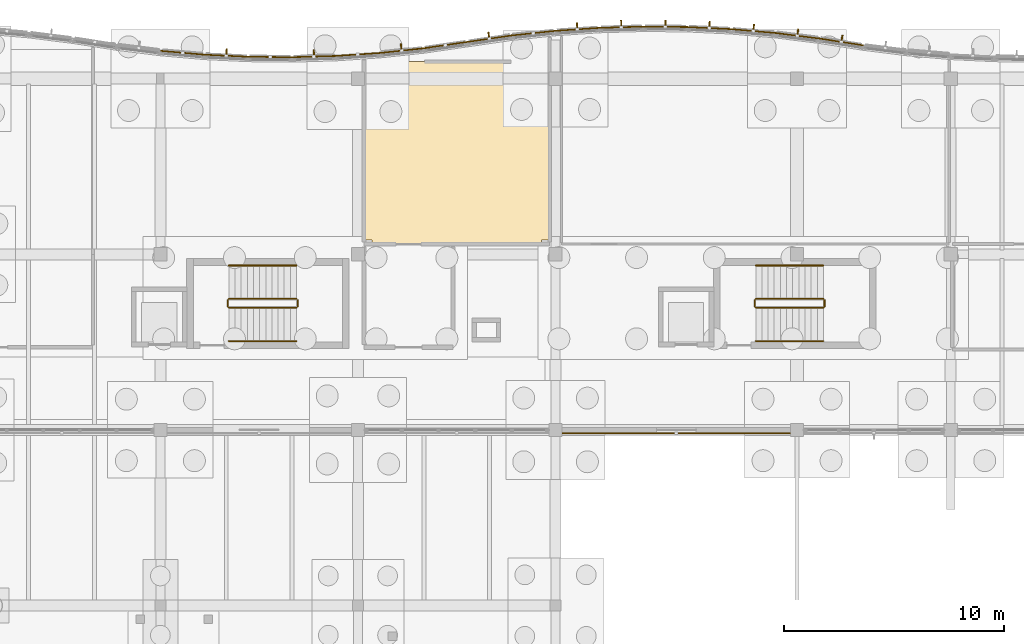
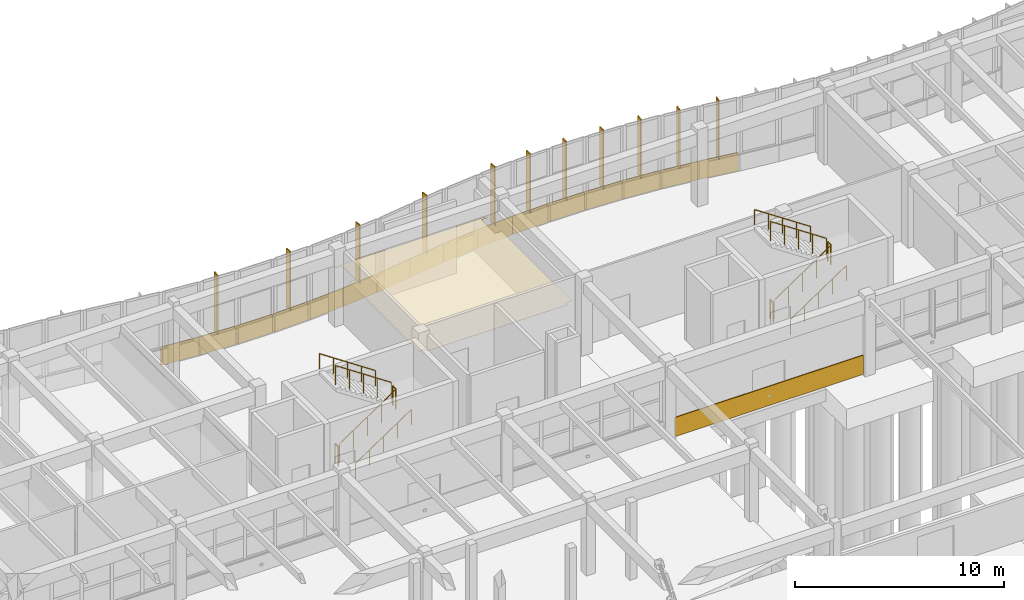
# One storey, part 93 of 99: 18 coverings, 12 railings, 11 shading devices.
"""IFC4 building model written with IfcOpenShell, lengths in metres."""

from ifc_helpers import new_model, si_unit, direction, frame, origin, origin_2d, place, context, subcontext, project, spatial, polyline, rectangle, circle, outline, extrude, material, layer, layer_set, type_object, element, save


model = new_model("IFC4")

# Units and contexts
model_context = context("Model", 3, precision=1e-05, world=origin(), true_north=direction((0.0, 1.0)))
body_context = subcontext(model_context, "Body", "Model", "MODEL_VIEW")
ifc_project = project(units=[si_unit("LENGTHUNIT", "METRE"), si_unit("AREAUNIT", "SQUARE_METRE"), si_unit("VOLUMEUNIT", "CUBIC_METRE"), si_unit("PLANEANGLEUNIT", "RADIAN"), si_unit("MASSUNIT", "GRAM", prefix="KILO")], contexts=[model_context])

# Site, building, storey
site_placement = place(None, origin())
site = spatial("IfcSite", under=ifc_project, at=site_placement, CompositionType="ELEMENT")
building_placement = place(site_placement, origin())
building = spatial("IfcBuilding", under=site, at=building_placement, Name="Tonlespit Floodbar School", CompositionType="ELEMENT")
storey_placement = place(building_placement, origin())
storey = spatial("IfcBuildingStorey", under=building, at=storey_placement, Name="L00", CompositionType="ELEMENT", Elevation=0.0)

# Coverings
ifc_material_1 = material(Name="Acoustic Mineral Tile")
ifc_layer_1 = layer(ifc_material_1, 0.02001953125)
ifc_layer_set_1 = layer_set([ifc_layer_1], Name="Acoustic Mineral Tile")
covering_type_1 = type_object("IfcCoveringType", Name="Ceiling_Acoustic_20", PredefinedType="CEILING", material=ifc_layer_set_1)
covering_1_placement = place(storey_placement, frame((0.0, 0.0, 2.64990234375)))
element("IfcCovering", 1, at=covering_1_placement, inside=storey, type_object=covering_type_1, Name="L00 Language Seminar Room acoustic ceiling", PredefinedType="CEILING", context=body_context, shape_type="SweptSolid", body=[
    extrude(outline(polyline([(107.275634765625, 120.64990234375), (107.27001953125, 120.7724609375), (115.72998046875, 120.7724609375), (115.72998046875, 120.64990234375), (115.35009765625, 120.64990234375), (115.35009765625, 119.35009765625), (115.72998046875, 119.35009765625), (115.72998046875, 112.64990234375), (115.35009765625, 112.64990234375), (115.35009765625, 112.469970703125), (107.64990234375, 112.469970703125), (107.64990234375, 112.64990234375), (107.27001953125, 112.64990234375), (107.27001953125, 119.35009765625), (107.64990234375, 119.35009765625), (107.64990234375, 120.64990234375), (107.275634765625, 120.64990234375)])), origin(), (0.0, 0.0, 1.0), 0.02001953125),
])
ifc_material_2 = material(Name="White Architectural Aluminium", Category="aluminium")
ifc_layer_2 = layer(ifc_material_2, 0.050048828125)
ifc_layer_set_2 = layer_set([ifc_layer_2], Name="White Architectural Aluminium")
covering_type_2 = type_object("IfcCoveringType", Name="Cladding_WhiteBand_50", PredefinedType="CLADDING", material=ifc_layer_set_2)
covering_2_placement = place(storey_placement, frame((0.0, 0.0, -0.1201171875)))
element("IfcCovering", 2, at=covering_2_placement, inside=storey, type_object=covering_type_2, Name="L00 curved white spandrel cladding 0028", PredefinedType="CLADDING", context=body_context, shape_type="SweptSolid", body=[
    extrude(outline(polyline([(98.0087890625, 121.241943359375), (100.0087890625, 121.068115234375), (100.012939453125, 121.117919921875), (98.012939453125, 121.291748046875), (98.0087890625, 121.241943359375)])), origin(), (0.0, 0.0, 1.0), 1.070068359375),
])
covering_3_placement = place(storey_placement, frame((0.0, 0.0, -0.1201171875)))
element("IfcCovering", 3, at=covering_3_placement, inside=storey, type_object=covering_type_2, Name="L00 curved white spandrel cladding 0029", PredefinedType="CLADDING", context=body_context, shape_type="SweptSolid", body=[
    extrude(outline(polyline([(100.0048828125, 121.068359375), (102.0048828125, 120.97216796875), (102.007080078125, 121.02197265625), (100.007080078125, 121.118408203125), (100.0048828125, 121.068359375)])), origin(), (0.0, 0.0, 1.0), 1.070068359375),
])
covering_4_placement = place(storey_placement, frame((0.0, 0.0, -0.1201171875)))
element("IfcCovering", 4, at=covering_4_placement, inside=storey, type_object=covering_type_2, Name="L00 curved white spandrel cladding 0030", PredefinedType="CLADDING", context=body_context, shape_type="SweptSolid", body=[
    extrude(outline(polyline([(102.0009765625, 120.97216796875), (104.0009765625, 120.952880859375), (104.00146484375, 121.0029296875), (102.00146484375, 121.022216796875), (102.0009765625, 120.97216796875)])), origin(), (0.0, 0.0, 1.0), 1.070068359375),
])
covering_5_placement = place(storey_placement, frame((0.0, 0.0, -0.1201171875)))
element("IfcCovering", 5, at=covering_5_placement, inside=storey, type_object=covering_type_2, Name="L00 curved white spandrel cladding 0031", PredefinedType="CLADDING", context=body_context, shape_type="SweptSolid", body=[
    extrude(outline(polyline([(103.9970703125, 120.952880859375), (105.9970703125, 121.0107421875), (105.99560546875, 121.060791015625), (103.99560546875, 121.0029296875), (103.9970703125, 120.952880859375)])), origin(), (0.0, 0.0, 1.0), 1.070068359375),
])
covering_6_placement = place(storey_placement, frame((0.0, 0.0, -0.1201171875)))
element("IfcCovering", 6, at=covering_6_placement, inside=storey, type_object=covering_type_2, Name="L00 curved white spandrel cladding 0032", PredefinedType="CLADDING", context=body_context, shape_type="SweptSolid", body=[
    extrude(outline(polyline([(105.993408203125, 121.010498046875), (107.993408203125, 121.1455078125), (107.989990234375, 121.1953125), (105.989990234375, 121.060302734375), (105.993408203125, 121.010498046875)])), origin(), (0.0, 0.0, 1.0), 1.070068359375),
])
covering_7_placement = place(storey_placement, frame((0.0, 0.0, -0.1201171875)))
element("IfcCovering", 7, at=covering_7_placement, inside=storey, type_object=covering_type_2, Name="L00 curved white spandrel cladding 0033", PredefinedType="CLADDING", context=body_context, shape_type="SweptSolid", body=[
    extrude(outline(polyline([(107.989501953125, 121.14501953125), (109.989501953125, 121.35791015625), (109.984130859375, 121.407470703125), (107.984130859375, 121.19482421875), (107.989501953125, 121.14501953125)])), origin(), (0.0, 0.0, 1.0), 1.070068359375),
])
covering_8_placement = place(storey_placement, frame((0.0, 0.0, -0.1201171875)))
element("IfcCovering", 8, at=covering_8_placement, inside=storey, type_object=covering_type_2, Name="L00 curved white spandrel cladding 0034", PredefinedType="CLADDING", context=body_context, shape_type="SweptSolid", body=[
    extrude(outline(polyline([(109.985595703125, 121.357421875), (111.985595703125, 121.64892578125), (111.978515625, 121.698486328125), (109.978515625, 121.406982421875), (109.985595703125, 121.357421875)])), origin(), (0.0, 0.0, 1.0), 1.070068359375),
])
covering_9_placement = place(storey_placement, frame((0.0, 0.0, -0.1201171875)))
element("IfcCovering", 9, at=covering_9_placement, inside=storey, type_object=covering_type_2, Name="L00 curved white spandrel cladding 0035", PredefinedType="CLADDING", context=body_context, shape_type="SweptSolid", body=[
    extrude(outline(polyline([(111.985595703125, 121.64892578125), (113.985595703125, 121.940673828125), (113.978515625, 121.989990234375), (111.978515625, 121.698486328125), (111.985595703125, 121.64892578125)])), origin(), (0.0, 0.0, 1.0), 1.070068359375),
])
covering_10_placement = place(storey_placement, frame((0.0, 0.0, -0.1201171875)))
element("IfcCovering", 10, at=covering_10_placement, inside=storey, type_object=covering_type_2, Name="L00 curved white spandrel cladding 0036", PredefinedType="CLADDING", context=body_context, shape_type="SweptSolid", body=[
    extrude(outline(polyline([(113.989501953125, 121.94091796875), (115.989501953125, 122.15380859375), (115.984130859375, 122.203369140625), (113.984130859375, 121.99072265625), (113.989501953125, 121.94091796875)])), origin(), (0.0, 0.0, 1.0), 1.070068359375),
])
covering_11_placement = place(storey_placement, frame((0.0, 0.0, -0.1201171875)))
element("IfcCovering", 11, at=covering_11_placement, inside=storey, type_object=covering_type_2, Name="L00 curved white spandrel cladding 0589", PredefinedType="CLADDING", context=body_context, shape_type="SweptSolid", body=[
    extrude(outline(polyline([(115.993408203125, 122.154052734375), (117.993408203125, 122.2890625), (117.989990234375, 122.339111328125), (115.989990234375, 122.2041015625), (115.993408203125, 122.154052734375)])), origin(), (0.0, 0.0, 1.0), 1.070068359375),
])
covering_12_placement = place(storey_placement, frame((0.0, 0.0, -0.1201171875)))
element("IfcCovering", 12, at=covering_12_placement, inside=storey, type_object=covering_type_2, Name="L00 curved white spandrel cladding 0590", PredefinedType="CLADDING", context=body_context, shape_type="SweptSolid", body=[
    extrude(outline(polyline([(117.9970703125, 122.289306640625), (119.9970703125, 122.346923828125), (119.99560546875, 122.39697265625), (117.99560546875, 122.33935546875), (117.9970703125, 122.289306640625)])), origin(), (0.0, 0.0, 1.0), 1.070068359375),
])
covering_13_placement = place(storey_placement, frame((0.0, 0.0, -0.1201171875)))
element("IfcCovering", 13, at=covering_13_placement, inside=storey, type_object=covering_type_2, Name="L00 curved white spandrel cladding 0591", PredefinedType="CLADDING", context=body_context, shape_type="SweptSolid", body=[
    extrude(outline(polyline([(120.0009765625, 122.346923828125), (122.0009765625, 122.327880859375), (122.00146484375, 122.377685546875), (120.00146484375, 122.39697265625), (120.0009765625, 122.346923828125)])), origin(), (0.0, 0.0, 1.0), 1.070068359375),
])
covering_14_placement = place(storey_placement, frame((0.0, 0.0, -0.1201171875)))
element("IfcCovering", 14, at=covering_14_placement, inside=storey, type_object=covering_type_2, Name="L00 curved white spandrel cladding 0592", PredefinedType="CLADDING", context=body_context, shape_type="SweptSolid", body=[
    extrude(outline(polyline([(122.0048828125, 122.32763671875), (124.0048828125, 122.2314453125), (124.007080078125, 122.28125), (122.007080078125, 122.377685546875), (122.0048828125, 122.32763671875)])), origin(), (0.0, 0.0, 1.0), 1.070068359375),
])
covering_15_placement = place(storey_placement, frame((0.0, 0.0, -0.1201171875)))
element("IfcCovering", 15, at=covering_15_placement, inside=storey, type_object=covering_type_2, Name="L00 curved white spandrel cladding 0593", PredefinedType="CLADDING", context=body_context, shape_type="SweptSolid", body=[
    extrude(outline(polyline([(124.0087890625, 122.231201171875), (126.0087890625, 122.057373046875), (126.012939453125, 122.107177734375), (124.012939453125, 122.281005859375), (124.0087890625, 122.231201171875)])), origin(), (0.0, 0.0, 1.0), 1.070068359375),
])
covering_16_placement = place(storey_placement, frame((0.0, 0.0, -0.1201171875)))
element("IfcCovering", 16, at=covering_16_placement, inside=storey, type_object=covering_type_2, Name="L00 curved white spandrel cladding 0594", PredefinedType="CLADDING", context=body_context, shape_type="SweptSolid", body=[
    extrude(outline(polyline([(126.012451171875, 122.056884765625), (128.012451171875, 121.804931640625), (128.018798828125, 121.8544921875), (126.018798828125, 122.1064453125), (126.012451171875, 122.056884765625)])), origin(), (0.0, 0.0, 1.0), 1.070068359375),
])
covering_17_placement = place(storey_placement, frame((0.0, 0.0, -0.1201171875)))
element("IfcCovering", 17, at=covering_17_placement, inside=storey, type_object=covering_type_2, Name="L00 curved white spandrel cladding 0595", PredefinedType="CLADDING", context=body_context, shape_type="SweptSolid", body=[
    extrude(outline(polyline([(128.015380859375, 121.804443359375), (130.015380859375, 121.4931640625), (130.023193359375, 121.54248046875), (128.023193359375, 121.85400390625), (128.015380859375, 121.804443359375)])), origin(), (0.0, 0.0, 1.0), 1.070068359375),
])
covering_18_placement = place(storey_placement, frame((0.0, 0.0, -0.1201171875)))
element("IfcCovering", 18, at=covering_18_placement, inside=storey, type_object=covering_type_2, Name="L00 curved white spandrel cladding 0623", PredefinedType="CLADDING", context=body_context, shape_type="SweptSolid", body=[
    extrude(outline(polyline([(126.699951171875, 103.8798828125), (116.300048828125, 103.8798828125), (116.300048828125, 103.830078125), (126.699951171875, 103.830078125), (126.699951171875, 103.8798828125)])), origin(), (0.0, 0.0, 1.0), 1.1201171875),
])

# Railings
ifc_material_3 = material(Name="Galvanised Steel", Category="steel")
railing_type_1 = type_object("IfcRailingType", Name="Guard_Int_1150", PredefinedType="BALUSTRADE", material=ifc_material_3)
railing_1_placement = place(storey_placement, frame((101.1201171875, 109.570068359375, 0.1875)))
element("IfcRailing", 19, at=railing_1_placement, inside=storey, type_object=railing_type_1, Name="L00 ST-C2 stair guard 1", PredefinedType="BALUSTRADE", context=body_context, shape_type="SweptSolid", body=[
    extrude(circle(Radius=0.02392578125, at=origin_2d()), frame((0.0, 0.0, 1.1259765625), z_axis=(0.830893310487, 0.0, 0.556431762742), x_axis=(0.0, 1.0, 0.0)), (0.0, 0.0, 1.0), 3.70654296875),
    extrude(circle(Radius=0.02099609375, at=origin_2d()), origin(), (0.0, 0.0, 1.0), 1.101806640625),
    extrude(circle(Radius=0.02099609375, at=origin_2d()), frame((0.77001953125, 0.0, 0.515625)), (0.0, 0.0, 1.0), 1.101806640625),
    extrude(circle(Radius=0.02099609375, at=origin_2d()), frame((1.5400390625, 0.0, 1.03125)), (0.0, 0.0, 1.0), 1.101806640625),
    extrude(circle(Radius=0.02099609375, at=origin_2d()), frame((2.309814453125, 0.0, 1.546875)), (0.0, 0.0, 1.0), 1.101806640625),
    extrude(circle(Radius=0.02099609375, at=origin_2d()), frame((3.079833984375, 0.0, 2.0625)), (0.0, 0.0, 1.0), 1.101806640625),
])
railing_2_placement = place(storey_placement, frame((104.25, 109.6201171875, 2.25)))
element("IfcRailing", 20, at=railing_2_placement, inside=storey, type_object=railing_type_1, Name="L00 ST-C2 stair guard 2", PredefinedType="BALUSTRADE", context=body_context, shape_type="SweptSolid", body=[
    extrude(circle(Radius=0.02392578125, at=origin_2d()), frame((0.0, 0.0, 1.1259765625), z_axis=(0.0, 1.0, 0.0), x_axis=(-1.0, 0.0, 0.0)), (0.0, 0.0, 1.0), 0.2998046875),
    extrude(circle(Radius=0.02099609375, at=origin_2d()), origin(), (0.0, 0.0, 1.0), 1.101806640625),
    extrude(circle(Radius=0.02099609375, at=origin_2d()), frame((0.0, 0.2998046875, 0.0)), (0.0, 0.0, 1.0), 1.101806640625),
])
railing_3_placement = place(storey_placement, frame((104.199951171875, 109.969970703125, 2.4375)))
element("IfcRailing", 21, at=railing_3_placement, inside=storey, type_object=railing_type_1, Name="L00 ST-C2 stair guard 3", PredefinedType="BALUSTRADE", context=body_context, shape_type="SweptSolid", body=[
    extrude(circle(Radius=0.02392578125, at=origin_2d()), frame((0.0, 0.0, 1.1259765625), z_axis=(-0.830893310487, 0.0, 0.556431762742), x_axis=(0.0, -1.0, 0.0)), (0.0, 0.0, 1.0), 3.70654296875),
    extrude(circle(Radius=0.02099609375, at=origin_2d()), origin(), (0.0, 0.0, 1.0), 1.101806640625),
    extrude(circle(Radius=0.02099609375, at=origin_2d()), frame((-0.77001953125, 0.0, 0.515625)), (0.0, 0.0, 1.0), 1.101806640625),
    extrude(circle(Radius=0.02099609375, at=origin_2d()), frame((-1.5400390625, 0.0, 1.03125)), (0.0, 0.0, 1.0), 1.101806640625),
    extrude(circle(Radius=0.02099609375, at=origin_2d()), frame((-2.309814453125, 0.0, 1.546875)), (0.0, 0.0, 1.0), 1.101806640625),
    extrude(circle(Radius=0.02099609375, at=origin_2d()), frame((-3.079833984375, 0.0, 2.0625)), (0.0, 0.0, 1.0), 1.101806640625),
])
railing_4_placement = place(storey_placement, frame((101.070068359375, 109.6201171875, 0.0)))
element("IfcRailing", 22, at=railing_4_placement, inside=storey, type_object=railing_type_1, Name="L00 ST-C2 stair guard 4", PredefinedType="BALUSTRADE", context=body_context, shape_type="SweptSolid", body=[
    extrude(circle(Radius=0.02392578125, at=origin_2d()), frame((0.0, 0.0, 1.1259765625), z_axis=(0.0, 1.0, 0.0), x_axis=(-1.0, 0.0, 0.0)), (0.0, 0.0, 1.0), 0.2998046875),
    extrude(circle(Radius=0.02099609375, at=origin_2d()), origin(), (0.0, 0.0, 1.0), 1.101806640625),
    extrude(circle(Radius=0.02099609375, at=origin_2d()), frame((0.0, 0.2998046875, 0.0)), (0.0, 0.0, 1.0), 1.101806640625),
])
railing_5_placement = place(storey_placement, frame((125.1201171875, 109.570068359375, 0.1875)))
element("IfcRailing", 23, at=railing_5_placement, inside=storey, type_object=railing_type_1, Name="L00 ST-C4 stair guard 1", PredefinedType="BALUSTRADE", context=body_context, shape_type="SweptSolid", body=[
    extrude(circle(Radius=0.02392578125, at=origin_2d()), frame((0.0, 0.0, 1.1259765625), z_axis=(0.830893310487, 0.0, 0.556431762742), x_axis=(0.0, 1.0, 0.0)), (0.0, 0.0, 1.0), 3.70654296875),
    extrude(circle(Radius=0.02099609375, at=origin_2d()), origin(), (0.0, 0.0, 1.0), 1.101806640625),
    extrude(circle(Radius=0.02099609375, at=origin_2d()), frame((0.77001953125, 0.0, 0.515625)), (0.0, 0.0, 1.0), 1.101806640625),
    extrude(circle(Radius=0.02099609375, at=origin_2d()), frame((1.5400390625, 0.0, 1.03125)), (0.0, 0.0, 1.0), 1.101806640625),
    extrude(circle(Radius=0.02099609375, at=origin_2d()), frame((2.309814453125, 0.0, 1.546875)), (0.0, 0.0, 1.0), 1.101806640625),
    extrude(circle(Radius=0.02099609375, at=origin_2d()), frame((3.079833984375, 0.0, 2.0625)), (0.0, 0.0, 1.0), 1.101806640625),
])
railing_6_placement = place(storey_placement, frame((128.25, 109.6201171875, 2.25)))
element("IfcRailing", 24, at=railing_6_placement, inside=storey, type_object=railing_type_1, Name="L00 ST-C4 stair guard 2", PredefinedType="BALUSTRADE", context=body_context, shape_type="SweptSolid", body=[
    extrude(circle(Radius=0.02392578125, at=origin_2d()), frame((0.0, 0.0, 1.1259765625), z_axis=(0.0, 1.0, 0.0), x_axis=(-1.0, 0.0, 0.0)), (0.0, 0.0, 1.0), 0.2998046875),
    extrude(circle(Radius=0.02099609375, at=origin_2d()), origin(), (0.0, 0.0, 1.0), 1.101806640625),
    extrude(circle(Radius=0.02099609375, at=origin_2d()), frame((0.0, 0.2998046875, 0.0)), (0.0, 0.0, 1.0), 1.101806640625),
])
railing_7_placement = place(storey_placement, frame((128.199951171875, 109.969970703125, 2.4375)))
element("IfcRailing", 25, at=railing_7_placement, inside=storey, type_object=railing_type_1, Name="L00 ST-C4 stair guard 3", PredefinedType="BALUSTRADE", context=body_context, shape_type="SweptSolid", body=[
    extrude(circle(Radius=0.02392578125, at=origin_2d()), frame((0.0, 0.0, 1.1259765625), z_axis=(-0.830893310487, 0.0, 0.556431762742), x_axis=(0.0, -1.0, 0.0)), (0.0, 0.0, 1.0), 3.70654296875),
    extrude(circle(Radius=0.02099609375, at=origin_2d()), origin(), (0.0, 0.0, 1.0), 1.101806640625),
    extrude(circle(Radius=0.02099609375, at=origin_2d()), frame((-0.77001953125, 0.0, 0.515625)), (0.0, 0.0, 1.0), 1.101806640625),
    extrude(circle(Radius=0.02099609375, at=origin_2d()), frame((-1.5400390625, 0.0, 1.03125)), (0.0, 0.0, 1.0), 1.101806640625),
    extrude(circle(Radius=0.02099609375, at=origin_2d()), frame((-2.309814453125, 0.0, 1.546875)), (0.0, 0.0, 1.0), 1.101806640625),
    extrude(circle(Radius=0.02099609375, at=origin_2d()), frame((-3.079833984375, 0.0, 2.0625)), (0.0, 0.0, 1.0), 1.101806640625),
])
railing_8_placement = place(storey_placement, frame((125.070068359375, 109.6201171875, 0.0)))
element("IfcRailing", 26, at=railing_8_placement, inside=storey, type_object=railing_type_1, Name="L00 ST-C4 stair guard 4", PredefinedType="BALUSTRADE", context=body_context, shape_type="SweptSolid", body=[
    extrude(circle(Radius=0.02392578125, at=origin_2d()), frame((0.0, 0.0, 1.1259765625), z_axis=(0.0, 1.0, 0.0), x_axis=(-1.0, 0.0, 0.0)), (0.0, 0.0, 1.0), 0.2998046875),
    extrude(circle(Radius=0.02099609375, at=origin_2d()), origin(), (0.0, 0.0, 1.0), 1.101806640625),
    extrude(circle(Radius=0.02099609375, at=origin_2d()), frame((0.0, 0.2998046875, 0.0)), (0.0, 0.0, 1.0), 1.101806640625),
])
railing_type_2 = type_object("IfcRailingType", Name="Handrail_Int_920", PredefinedType="HANDRAIL", material=ifc_material_3)
railing_9_placement = place(storey_placement, frame((101.1201171875, 108.050048828125, 0.1875)))
element("IfcRailing", 27, at=railing_9_placement, inside=storey, type_object=railing_type_2, Name="L00 ST-C2 stair handrail 1", PredefinedType="HANDRAIL", context=body_context, shape_type="SweptSolid", body=[
    extrude(circle(Radius=0.02392578125, at=origin_2d()), frame((0.0, 0.0, 0.89599609375), z_axis=(0.830893310487, 0.0, 0.556431762742), x_axis=(0.0, 1.0, 0.0)), (0.0, 0.0, 1.0), 3.70654296875),
    extrude(circle(Radius=0.02099609375, at=origin_2d()), origin(), (0.0, 0.0, 1.0), 0.871826171875),
    extrude(circle(Radius=0.02099609375, at=origin_2d()), frame((0.77001953125, 0.0, 0.515625)), (0.0, 0.0, 1.0), 0.871826171875),
    extrude(circle(Radius=0.02099609375, at=origin_2d()), frame((1.5400390625, 0.0, 1.03125)), (0.0, 0.0, 1.0), 0.871826171875),
    extrude(circle(Radius=0.02099609375, at=origin_2d()), frame((2.309814453125, 0.0, 1.546875)), (0.0, 0.0, 1.0), 0.871826171875),
    extrude(circle(Radius=0.02099609375, at=origin_2d()), frame((3.079833984375, 0.0, 2.0625)), (0.0, 0.0, 1.0), 0.871826171875),
])
railing_10_placement = place(storey_placement, frame((104.199951171875, 111.489990234375, 2.4375)))
element("IfcRailing", 28, at=railing_10_placement, inside=storey, type_object=railing_type_2, Name="L00 ST-C2 stair handrail 2", PredefinedType="HANDRAIL", context=body_context, shape_type="SweptSolid", body=[
    extrude(circle(Radius=0.02392578125, at=origin_2d()), frame((0.0, 0.0, 0.89599609375), z_axis=(-0.830893310487, 0.0, 0.556431762742), x_axis=(0.0, -1.0, 0.0)), (0.0, 0.0, 1.0), 3.70654296875),
    extrude(circle(Radius=0.02099609375, at=origin_2d()), origin(), (0.0, 0.0, 1.0), 0.871826171875),
    extrude(circle(Radius=0.02099609375, at=origin_2d()), frame((-0.77001953125, 0.0, 0.515625)), (0.0, 0.0, 1.0), 0.871826171875),
    extrude(circle(Radius=0.02099609375, at=origin_2d()), frame((-1.5400390625, 0.0, 1.03125)), (0.0, 0.0, 1.0), 0.871826171875),
    extrude(circle(Radius=0.02099609375, at=origin_2d()), frame((-2.309814453125, 0.0, 1.546875)), (0.0, 0.0, 1.0), 0.871826171875),
    extrude(circle(Radius=0.02099609375, at=origin_2d()), frame((-3.079833984375, 0.0, 2.0625)), (0.0, 0.0, 1.0), 0.871826171875),
])
railing_11_placement = place(storey_placement, frame((125.1201171875, 108.050048828125, 0.1875)))
element("IfcRailing", 29, at=railing_11_placement, inside=storey, type_object=railing_type_2, Name="L00 ST-C4 stair handrail 1", PredefinedType="HANDRAIL", context=body_context, shape_type="SweptSolid", body=[
    extrude(circle(Radius=0.02392578125, at=origin_2d()), frame((0.0, 0.0, 0.89599609375), z_axis=(0.830893310487, 0.0, 0.556431762742), x_axis=(0.0, 1.0, 0.0)), (0.0, 0.0, 1.0), 3.70654296875),
    extrude(circle(Radius=0.02099609375, at=origin_2d()), origin(), (0.0, 0.0, 1.0), 0.871826171875),
    extrude(circle(Radius=0.02099609375, at=origin_2d()), frame((0.77001953125, 0.0, 0.515625)), (0.0, 0.0, 1.0), 0.871826171875),
    extrude(circle(Radius=0.02099609375, at=origin_2d()), frame((1.5400390625, 0.0, 1.03125)), (0.0, 0.0, 1.0), 0.871826171875),
    extrude(circle(Radius=0.02099609375, at=origin_2d()), frame((2.309814453125, 0.0, 1.546875)), (0.0, 0.0, 1.0), 0.871826171875),
    extrude(circle(Radius=0.02099609375, at=origin_2d()), frame((3.079833984375, 0.0, 2.0625)), (0.0, 0.0, 1.0), 0.871826171875),
])
railing_12_placement = place(storey_placement, frame((128.199951171875, 111.489990234375, 2.4375)))
element("IfcRailing", 30, at=railing_12_placement, inside=storey, type_object=railing_type_2, Name="L00 ST-C4 stair handrail 2", PredefinedType="HANDRAIL", context=body_context, shape_type="SweptSolid", body=[
    extrude(circle(Radius=0.02392578125, at=origin_2d()), frame((0.0, 0.0, 0.89599609375), z_axis=(-0.830893310487, 0.0, 0.556431762742), x_axis=(0.0, -1.0, 0.0)), (0.0, 0.0, 1.0), 3.70654296875),
    extrude(circle(Radius=0.02099609375, at=origin_2d()), origin(), (0.0, 0.0, 1.0), 0.871826171875),
    extrude(circle(Radius=0.02099609375, at=origin_2d()), frame((-0.77001953125, 0.0, 0.515625)), (0.0, 0.0, 1.0), 0.871826171875),
    extrude(circle(Radius=0.02099609375, at=origin_2d()), frame((-1.5400390625, 0.0, 1.03125)), (0.0, 0.0, 1.0), 0.871826171875),
    extrude(circle(Radius=0.02099609375, at=origin_2d()), frame((-2.309814453125, 0.0, 1.546875)), (0.0, 0.0, 1.0), 0.871826171875),
    extrude(circle(Radius=0.02099609375, at=origin_2d()), frame((-3.079833984375, 0.0, 2.0625)), (0.0, 0.0, 1.0), 0.871826171875),
])

# Shading devices
ifc_material_4 = material(Name="Terracotta Anodised Aluminium", Category="masonry")
ifc_layer_3 = layer(ifc_material_4, 0.06005859375)
ifc_layer_set_3 = layer_set([ifc_layer_3], Name="Terracotta Anodised Aluminium")
shading_device_type = type_object("IfcShadingDeviceType", Name="Shading_SolarFin_350", PredefinedType="USERDEFINED", material=ifc_layer_set_3)
for number, where, z_axis, x_axis, name in (
    (31, (101.012451171875, 121.179931640625, 0.800048828125), (0.0, 0.0, 1.0), (0.998842769234, -0.048094930587, 0.0), "L00 vertical solar fin 014"),
    (32, (104.992431640625, 121.1416015625, 0.800048828125), (0.0, 0.0, 1.0), (0.999584110869, 0.02883756748, 0.0), "L00 vertical solar fin 015"),
    (33, (108.972412109375, 121.41064453125, 0.800048828125), (0.0, 0.0, 1.0), (0.99439234017, 0.105753835922, 0.0), "L00 vertical solar fin 016"),
    (34, (112.96240234375, 121.953125, 0.800048828125), (0.0, 0.0, 1.0), (0.989537627347, 0.144275029245, 0.0), "L00 vertical solar fin 017"),
    (35, (116.982421875, 122.381103515625, 0.800048828125), (0.0, 0.0, 1.0), (0.997729639049, 0.067346621018, 0.0), "L00 vertical solar fin 192"),
    (36, (118.992431640625, 122.47802734375, 0.800048828125), (0.0, 0.0, 1.0), (0.999584110869, 0.02883756748, 0.0), "L00 vertical solar fin 193"),
    (37, (121.00244140625, 122.497314453125, 0.800048828125), (0.0, 0.0, 1.0), (0.999953926969, -0.009599163462, 0.0), "L00 vertical solar fin 194"),
    (38, (123.012451171875, 122.439208984375, 0.800048828125), (0.0, 0.0, 1.0), (0.998842769234, -0.048094930587, 0.0), "L00 vertical solar fin 195"),
    (39, (125.0224609375, 122.3037109375, 0.800048828125), (0.0, 0.0, 1.0), (0.996245486492, -0.086573267488, 0.0), "L00 vertical solar fin 196"),
    (40, (127.032470703125, 122.089599609375, 0.800048828125), (0.0, 0.0, 1.0), (0.99215533612, -0.125011155539, 0.0), "L00 vertical solar fin 197"),
    (41, (129.0400390625, 121.806884765625, 0.800048828125), (0.0, 0.0, 1.0), (0.988094768361, -0.153846445322, 0.0), "L00 vertical solar fin 198"),
):
    element("IfcShadingDevice", number, at=place(storey_placement, frame(where, z_axis=z_axis, x_axis=x_axis)), inside=storey, type_object=shading_device_type, Name=name, ObjectType="SOLAR FIN", PredefinedType="USERDEFINED", context=body_context, shape_type="SweptSolid", body=[
        extrude(rectangle(XDim=0.06005859375, YDim=0.35009765625, at=origin_2d()), origin(), (0.0, 0.0, 1.0), 3.43994140625),
    ])

save(model, "model.ifc")
